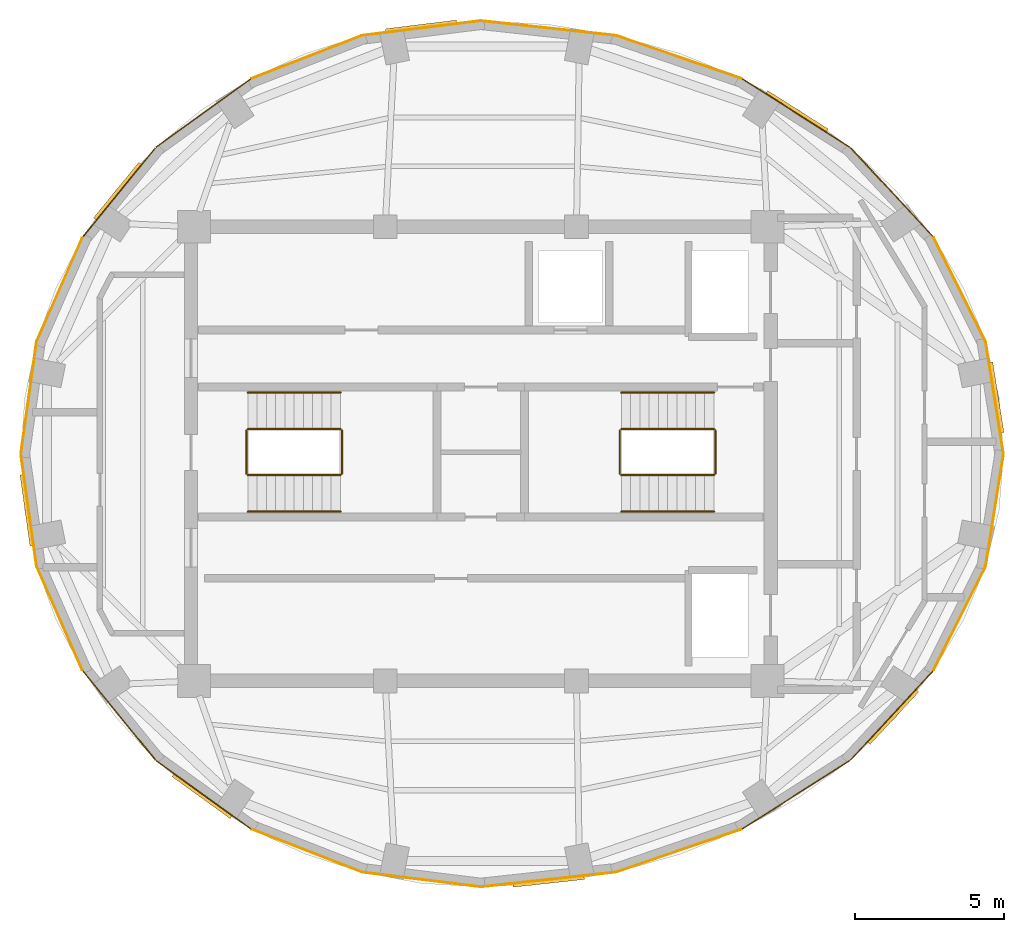
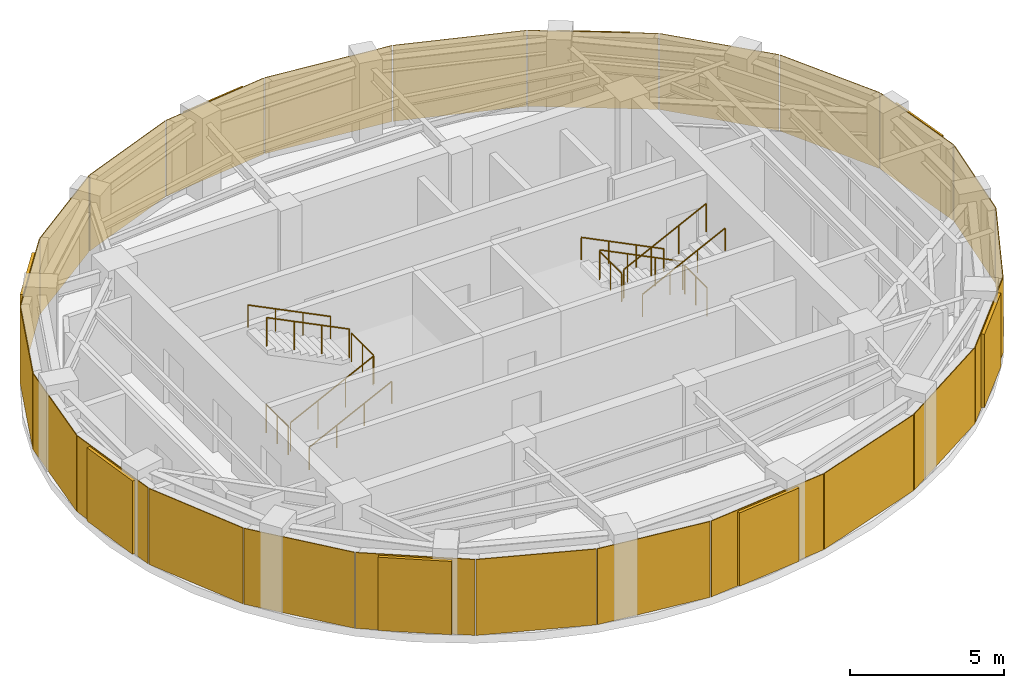
# One storey, part 5 of 5: 24 coverings, 12 railings, 8 shading devices.
"""IFC4 building model written with IfcOpenShell, lengths in metres."""

from ifc_helpers import new_model, si_unit, direction, frame, origin, origin_2d, place, context, subcontext, project, spatial, rectangle, circle, extrude, material, layer, layer_set, type_object, element, save


model = new_model("IFC4")

# Units and contexts
model_context = context("Model", 3, precision=1e-05, world=origin(), true_north=direction((0.0, 1.0)))
body_context = subcontext(model_context, "Body", "Model", "MODEL_VIEW")
ifc_project = project(units=[si_unit("LENGTHUNIT", "METRE"), si_unit("AREAUNIT", "SQUARE_METRE"), si_unit("VOLUMEUNIT", "CUBIC_METRE"), si_unit("PLANEANGLEUNIT", "RADIAN"), si_unit("MASSUNIT", "GRAM", prefix="KILO")], contexts=[model_context])

# Site, building, storey
site_placement = place(None, origin())
site = spatial("IfcSite", under=ifc_project, at=site_placement, CompositionType="ELEMENT")
building_placement = place(site_placement, origin())
building = spatial("IfcBuilding", under=site, at=building_placement, Name="Lazwardi Medical Tower", CompositionType="ELEMENT")
storey_placement = place(building_placement, frame((0.0, 0.0, 312.612060546875)))
storey = spatial("IfcBuildingStorey", under=building, at=storey_placement, Name="L82", CompositionType="ELEMENT", Elevation=312.612060546875)

# Coverings
ifc_material_1 = material(Name="Anodised bronze aluminium cassette cladding", Category="aluminium")
ifc_layer = layer(ifc_material_1, 0.030029296875)
ifc_layer_set = layer_set([ifc_layer], Name="Anodised bronze aluminium cassette cladding")
covering_type = type_object("IfcCoveringType", Name="COV-CLD-BRZ", PredefinedType="CLADDING", material=ifc_layer_set)
covering_1_placement = place(storey_placement, frame((38.260498046875, 13.752197265625, 0.0), z_axis=(0.0, 0.0, 1.0), x_axis=(0.994125867428, 0.108230123855, 0.0)))
element("IfcCovering", 1, at=covering_1_placement, inside=storey, type_object=covering_type, Name="L82 Bronzed crown drum cassette cladding", PredefinedType="CLADDING", context=body_context, shape_type="SweptSolid", body=[
    extrude(rectangle(XDim=4.514404296875, YDim=0.030029296875, at=origin_2d()), origin(), (0.0, 0.0, 1.0), 3.008056640625),
])
covering_2_placement = place(storey_placement, frame((42.62841796875, 14.72021484375, 0.0), z_axis=(0.0, 0.0, 1.0), x_axis=(0.946033335117, 0.324069327223, 0.0)))
element("IfcCovering", 2, at=covering_2_placement, inside=storey, type_object=covering_type, Name="L82 Bronzed crown drum cassette cladding", PredefinedType="CLADDING", context=body_context, shape_type="SweptSolid", body=[
    extrude(rectangle(XDim=4.420654296875, YDim=0.030029296875, at=origin_2d()), origin(), (0.0, 0.0, 1.0), 3.008056640625),
])
covering_3_placement = place(storey_placement, frame((46.547607421875, 16.591552734375, 0.0), z_axis=(0.0, 0.0, 1.0), x_axis=(0.84434288828, 0.535803216686, 0.0)))
element("IfcCovering", 3, at=covering_3_placement, inside=storey, type_object=covering_type, Name="L82 Bronzed crown drum cassette cladding", PredefinedType="CLADDING", context=body_context, shape_type="SweptSolid", body=[
    extrude(rectangle(XDim=4.253173828125, YDim=0.030029296875, at=origin_2d()), origin(), (0.0, 0.0, 1.0), 3.008056640625),
])
covering_4_placement = place(storey_placement, frame((49.751220703125, 19.240966796875, 0.0), z_axis=(0.0, 0.0, 1.0), x_axis=(0.680177307104, 0.733047632082, 0.0)))
element("IfcCovering", 4, at=covering_4_placement, inside=storey, type_object=covering_type, Name="L82 Bronzed crown drum cassette cladding", PredefinedType="CLADDING", context=body_context, shape_type="SweptSolid", body=[
    extrude(rectangle(XDim=4.051513671875, YDim=0.030029296875, at=origin_2d()), origin(), (0.0, 0.0, 1.0), 3.008056640625),
])
covering_5_placement = place(storey_placement, frame((52.019775390625, 22.49072265625, 0.0), z_axis=(0.0, 0.0, 1.0), x_axis=(0.447844918421, 0.894111250933, 0.0)))
element("IfcCovering", 5, at=covering_5_placement, inside=storey, type_object=covering_type, Name="L82 Bronzed crown drum cassette cladding", PredefinedType="CLADDING", context=body_context, shape_type="SweptSolid", body=[
    extrude(rectangle(XDim=3.8681640625, YDim=0.030029296875, at=origin_2d()), origin(), (0.0, 0.0, 1.0), 3.008056640625),
])
for number, where, z_axis, x_axis, name in (
    (6, (53.19580078125, 26.1201171875, 0.0), (0.0, 0.0, 1.0), (0.157201527183, 0.987566544518, 0.0), "L82 Bronzed crown drum cassette cladding"),
    (7, (53.19580078125, 29.8798828125, 0.0), (0.0, 0.0, 1.0), (-0.157201527183, 0.987566544518, 0.0), "L82 Bronzed crown drum cassette cladding"),
):
    element("IfcCovering", number, at=place(storey_placement, frame(where, z_axis=z_axis, x_axis=x_axis)), inside=storey, type_object=covering_type, Name=name, PredefinedType="CLADDING", context=body_context, shape_type="SweptSolid", body=[
        extrude(rectangle(XDim=3.75830078125, YDim=0.030029296875, at=origin_2d()), origin(), (0.0, 0.0, 1.0), 3.008056640625),
    ])
covering_6_placement = place(storey_placement, frame((52.019775390625, 33.50927734375, 0.0), z_axis=(0.0, 0.0, 1.0), x_axis=(-0.447844918421, 0.894111250933, 0.0)))
element("IfcCovering", 8, at=covering_6_placement, inside=storey, type_object=covering_type, Name="L82 Bronzed crown drum cassette cladding", PredefinedType="CLADDING", context=body_context, shape_type="SweptSolid", body=[
    extrude(rectangle(XDim=3.8681640625, YDim=0.030029296875, at=origin_2d()), origin(), (0.0, 0.0, 1.0), 3.008056640625),
])
covering_7_placement = place(storey_placement, frame((49.751220703125, 36.759033203125, 0.0), z_axis=(0.0, 0.0, 1.0), x_axis=(-0.680177307104, 0.733047632082, 0.0)))
element("IfcCovering", 9, at=covering_7_placement, inside=storey, type_object=covering_type, Name="L82 Bronzed crown drum cassette cladding", PredefinedType="CLADDING", context=body_context, shape_type="SweptSolid", body=[
    extrude(rectangle(XDim=4.051513671875, YDim=0.030029296875, at=origin_2d()), origin(), (0.0, 0.0, 1.0), 3.008056640625),
])
covering_8_placement = place(storey_placement, frame((46.547607421875, 39.408447265625, 0.0), z_axis=(0.0, 0.0, 1.0), x_axis=(-0.84434288828, 0.535803216686, 0.0)))
element("IfcCovering", 10, at=covering_8_placement, inside=storey, type_object=covering_type, Name="L82 Bronzed crown drum cassette cladding", PredefinedType="CLADDING", context=body_context, shape_type="SweptSolid", body=[
    extrude(rectangle(XDim=4.253173828125, YDim=0.030029296875, at=origin_2d()), origin(), (0.0, 0.0, 1.0), 3.008056640625),
])
covering_9_placement = place(storey_placement, frame((42.62841796875, 41.27978515625, 0.0), z_axis=(0.0, 0.0, 1.0), x_axis=(-0.946033335117, 0.324069327223, 0.0)))
element("IfcCovering", 11, at=covering_9_placement, inside=storey, type_object=covering_type, Name="L82 Bronzed crown drum cassette cladding", PredefinedType="CLADDING", context=body_context, shape_type="SweptSolid", body=[
    extrude(rectangle(XDim=4.420654296875, YDim=0.030029296875, at=origin_2d()), origin(), (0.0, 0.0, 1.0), 3.008056640625),
])
covering_10_placement = place(storey_placement, frame((38.260498046875, 42.247802734375, 0.0), z_axis=(0.0, 0.0, 1.0), x_axis=(-0.994125867428, 0.108230123855, 0.0)))
element("IfcCovering", 12, at=covering_10_placement, inside=storey, type_object=covering_type, Name="L82 Bronzed crown drum cassette cladding", PredefinedType="CLADDING", context=body_context, shape_type="SweptSolid", body=[
    extrude(rectangle(XDim=4.514404296875, YDim=0.030029296875, at=origin_2d()), origin(), (0.0, 0.0, 1.0), 3.008056640625),
])
covering_11_placement = place(storey_placement, frame((34.009033203125, 42.24755859375, 0.0), z_axis=(0.0, 0.0, 1.0), x_axis=(-0.992414982641, -0.122932917602, 0.0)))
element("IfcCovering", 13, at=covering_11_placement, inside=storey, type_object=covering_type, Name="L82 Bronzed crown drum cassette cladding", PredefinedType="CLADDING", context=body_context, shape_type="SweptSolid", body=[
    extrude(rectangle(XDim=3.974609375, YDim=0.030029296875, at=origin_2d()), origin(), (0.0, 0.0, 1.0), 3.008056640625),
])
covering_12_placement = place(storey_placement, frame((30.162109375, 41.277587890625, 0.0), z_axis=(0.0, 0.0, 1.0), x_axis=(-0.931730529697, -0.363150409653, 0.0)))
element("IfcCovering", 14, at=covering_12_placement, inside=storey, type_object=covering_type, Name="L82 Bronzed crown drum cassette cladding", PredefinedType="CLADDING", context=body_context, shape_type="SweptSolid", body=[
    extrude(rectangle(XDim=3.94482421875, YDim=0.030029296875, at=origin_2d()), origin(), (0.0, 0.0, 1.0), 3.008056640625),
])
covering_13_placement = place(storey_placement, frame((26.71240234375, 39.4033203125, 0.0), z_axis=(0.0, 0.0, 1.0), x_axis=(-0.810758446386, -0.585380851766, 0.0)))
element("IfcCovering", 15, at=covering_13_placement, inside=storey, type_object=covering_type, Name="L82 Bronzed crown drum cassette cladding", PredefinedType="CLADDING", context=body_context, shape_type="SweptSolid", body=[
    extrude(rectangle(XDim=3.89306640625, YDim=0.030029296875, at=origin_2d()), origin(), (0.0, 0.0, 1.0), 3.008056640625),
])
covering_14_placement = place(storey_placement, frame((23.894287109375, 36.751708984375, 0.0), z_axis=(0.0, 0.0, 1.0), x_axis=(-0.63198331542, -0.774981992714, 0.0)))
element("IfcCovering", 16, at=covering_14_placement, inside=storey, type_object=covering_type, Name="L82 Bronzed crown drum cassette cladding", PredefinedType="CLADDING", context=body_context, shape_type="SweptSolid", body=[
    extrude(rectangle(XDim=3.832275390625, YDim=0.030029296875, at=origin_2d()), origin(), (0.0, 0.0, 1.0), 3.008056640625),
])
covering_15_placement = place(storey_placement, frame((21.900390625, 33.50244140625, 0.0), z_axis=(0.0, 0.0, 1.0), x_axis=(-0.402906435714, -0.915241172621, 0.0)))
element("IfcCovering", 17, at=covering_15_placement, inside=storey, type_object=covering_type, Name="L82 Bronzed crown drum cassette cladding", PredefinedType="CLADDING", context=body_context, shape_type="SweptSolid", body=[
    extrude(rectangle(XDim=3.77880859375, YDim=0.030029296875, at=origin_2d()), origin(), (0.0, 0.0, 1.0), 3.008056640625),
])
for number, where, z_axis, x_axis, name in (
    (18, (20.8681640625, 29.876953125, 0.0), (0.0, 0.0, 1.0), (-0.138566426199, -0.990353141829, 0.0), "L82 Bronzed crown drum cassette cladding"),
    (19, (20.8681640625, 26.123046875, 0.0), (0.0, 0.0, 1.0), (0.138566426199, -0.990353141829, 0.0), "L82 Bronzed crown drum cassette cladding"),
):
    element("IfcCovering", number, at=place(storey_placement, frame(where, z_axis=z_axis, x_axis=x_axis)), inside=storey, type_object=covering_type, Name=name, PredefinedType="CLADDING", context=body_context, shape_type="SweptSolid", body=[
        extrude(rectangle(XDim=3.747802734375, YDim=0.030029296875, at=origin_2d()), origin(), (0.0, 0.0, 1.0), 3.008056640625),
    ])
covering_16_placement = place(storey_placement, frame((21.900390625, 22.49755859375, 0.0), z_axis=(0.0, 0.0, 1.0), x_axis=(0.402906435714, -0.915241172621, 0.0)))
element("IfcCovering", 20, at=covering_16_placement, inside=storey, type_object=covering_type, Name="L82 Bronzed crown drum cassette cladding", PredefinedType="CLADDING", context=body_context, shape_type="SweptSolid", body=[
    extrude(rectangle(XDim=3.77880859375, YDim=0.030029296875, at=origin_2d()), origin(), (0.0, 0.0, 1.0), 3.008056640625),
])
covering_17_placement = place(storey_placement, frame((23.894287109375, 19.248291015625, 0.0), z_axis=(0.0, 0.0, 1.0), x_axis=(0.63198331542, -0.774981992714, 0.0)))
element("IfcCovering", 21, at=covering_17_placement, inside=storey, type_object=covering_type, Name="L82 Bronzed crown drum cassette cladding", PredefinedType="CLADDING", context=body_context, shape_type="SweptSolid", body=[
    extrude(rectangle(XDim=3.832275390625, YDim=0.030029296875, at=origin_2d()), origin(), (0.0, 0.0, 1.0), 3.008056640625),
])
covering_18_placement = place(storey_placement, frame((26.71240234375, 16.5966796875, 0.0), z_axis=(0.0, 0.0, 1.0), x_axis=(0.810758446386, -0.585380851766, 0.0)))
element("IfcCovering", 22, at=covering_18_placement, inside=storey, type_object=covering_type, Name="L82 Bronzed crown drum cassette cladding", PredefinedType="CLADDING", context=body_context, shape_type="SweptSolid", body=[
    extrude(rectangle(XDim=3.89306640625, YDim=0.030029296875, at=origin_2d()), origin(), (0.0, 0.0, 1.0), 3.008056640625),
])
covering_19_placement = place(storey_placement, frame((30.162109375, 14.722412109375, 0.0), z_axis=(0.0, 0.0, 1.0), x_axis=(0.931730529697, -0.363150409653, 0.0)))
element("IfcCovering", 23, at=covering_19_placement, inside=storey, type_object=covering_type, Name="L82 Bronzed crown drum cassette cladding", PredefinedType="CLADDING", context=body_context, shape_type="SweptSolid", body=[
    extrude(rectangle(XDim=3.94482421875, YDim=0.030029296875, at=origin_2d()), origin(), (0.0, 0.0, 1.0), 3.008056640625),
])
covering_20_placement = place(storey_placement, frame((34.009033203125, 13.75244140625, 0.0), z_axis=(0.0, 0.0, 1.0), x_axis=(0.992414982641, -0.122932917602, 0.0)))
element("IfcCovering", 24, at=covering_20_placement, inside=storey, type_object=covering_type, Name="L82 Bronzed crown drum cassette cladding", PredefinedType="CLADDING", context=body_context, shape_type="SweptSolid", body=[
    extrude(rectangle(XDim=3.974609375, YDim=0.030029296875, at=origin_2d()), origin(), (0.0, 0.0, 1.0), 3.008056640625),
])

# Railings
ifc_material_2 = material(Name="Stainless steel Grade 316", Category="steel")
railing_type_1 = type_object("IfcRailingType", Name="RLG-GRD-1150", PredefinedType="GUARDRAIL", material=ifc_material_2)
railing_1_placement = place(storey_placement, frame((28.199951171875, 27.2900390625, 0.154052734375)))
element("IfcRailing", 25, at=railing_1_placement, inside=storey, type_object=railing_type_1, Name="L82 ST1 stair guard 1", PredefinedType="GUARDRAIL", context=body_context, shape_type="SweptSolid", body=[
    extrude(circle(Radius=0.02392578125, at=origin_2d()), frame((0.0, 0.0, 1.1259765625), z_axis=(0.895608980619, 0.0, 0.44484216733), x_axis=(0.0, 1.0, 0.0)), (0.0, 0.0, 1.0), 3.46142578125),
    extrude(circle(Radius=0.02099609375, at=origin_2d()), origin(), (0.0, 0.0, 1.0), 1.099853515625),
    extrude(circle(Radius=0.02099609375, at=origin_2d()), frame((1.033447265625, 0.0, 0.51318359375)), (0.0, 0.0, 1.0), 1.099853515625),
    extrude(circle(Radius=0.02099609375, at=origin_2d()), frame((2.066650390625, 0.0, 1.026611328125)), (0.0, 0.0, 1.0), 1.099853515625),
    extrude(circle(Radius=0.02099609375, at=origin_2d()), frame((3.10009765625, 0.0, 1.539794921875)), (0.0, 0.0, 1.0), 1.099853515625),
])
railing_2_placement = place(storey_placement, frame((31.35009765625, 27.340087890625, 1.69384765625)))
element("IfcRailing", 26, at=railing_2_placement, inside=storey, type_object=railing_type_1, Name="L82 ST1 stair guard 2", PredefinedType="GUARDRAIL", context=body_context, shape_type="SweptSolid", body=[
    extrude(circle(Radius=0.02392578125, at=origin_2d()), frame((0.0, 0.0, 1.1259765625), z_axis=(0.0, 1.0, 0.0), x_axis=(-1.0, 0.0, 0.0)), (0.0, 0.0, 1.0), 1.43994140625),
    extrude(circle(Radius=0.02099609375, at=origin_2d()), origin(), (0.0, 0.0, 1.0), 1.099853515625),
    extrude(circle(Radius=0.02099609375, at=origin_2d()), frame((0.0, 0.719970703125, 0.0)), (0.0, 0.0, 1.0), 1.099853515625),
    extrude(circle(Radius=0.02099609375, at=origin_2d()), frame((0.0, 1.43994140625, 0.0)), (0.0, 0.0, 1.0), 1.099853515625),
])
railing_3_placement = place(storey_placement, frame((31.300048828125, 28.830078125, 1.847900390625)))
element("IfcRailing", 27, at=railing_3_placement, inside=storey, type_object=railing_type_1, Name="L82 ST1 stair guard 3", PredefinedType="GUARDRAIL", context=body_context, shape_type="SweptSolid", body=[
    extrude(circle(Radius=0.02392578125, at=origin_2d()), frame((0.0, 0.0, 1.1259765625), z_axis=(-0.895580879637, 0.0, 0.444898739073), x_axis=(0.0, -1.0, 0.0)), (0.0, 0.0, 1.0), 3.461669921875),
    extrude(circle(Radius=0.02099609375, at=origin_2d()), origin(), (0.0, 0.0, 1.0), 1.099853515625),
    extrude(circle(Radius=0.02099609375, at=origin_2d()), frame((-1.033447265625, 0.0, 0.513427734375)), (0.0, 0.0, 1.0), 1.099853515625),
    extrude(circle(Radius=0.02099609375, at=origin_2d()), frame((-2.066650390625, 0.0, 1.026611328125)), (0.0, 0.0, 1.0), 1.099853515625),
    extrude(circle(Radius=0.02099609375, at=origin_2d()), frame((-3.10009765625, 0.0, 1.5400390625)), (0.0, 0.0, 1.0), 1.099853515625),
])
railing_4_placement = place(storey_placement, frame((28.14990234375, 27.340087890625, 0.0)))
element("IfcRailing", 28, at=railing_4_placement, inside=storey, type_object=railing_type_1, Name="L82 ST1 stair guard 4", PredefinedType="GUARDRAIL", context=body_context, shape_type="SweptSolid", body=[
    extrude(circle(Radius=0.02392578125, at=origin_2d()), frame((0.0, 0.0, 1.1259765625), z_axis=(0.0, 1.0, 0.0), x_axis=(-1.0, 0.0, 0.0)), (0.0, 0.0, 1.0), 1.43994140625),
    extrude(circle(Radius=0.02099609375, at=origin_2d()), origin(), (0.0, 0.0, 1.0), 1.099853515625),
    extrude(circle(Radius=0.02099609375, at=origin_2d()), frame((0.0, 0.719970703125, 0.0)), (0.0, 0.0, 1.0), 1.099853515625),
    extrude(circle(Radius=0.02099609375, at=origin_2d()), frame((0.0, 1.43994140625, 0.0)), (0.0, 0.0, 1.0), 1.099853515625),
])
railing_5_placement = place(storey_placement, frame((43.800048828125, 28.830078125, 0.154052734375)))
element("IfcRailing", 29, at=railing_5_placement, inside=storey, type_object=railing_type_1, Name="L82 ST2 stair guard 1", PredefinedType="GUARDRAIL", context=body_context, shape_type="SweptSolid", body=[
    extrude(circle(Radius=0.02392578125, at=origin_2d()), frame((0.0, 0.0, 1.1259765625), z_axis=(-0.895608980619, 0.0, 0.44484216733), x_axis=(0.0, -1.0, 0.0)), (0.0, 0.0, 1.0), 3.46142578125),
    extrude(circle(Radius=0.02099609375, at=origin_2d()), origin(), (0.0, 0.0, 1.0), 1.099853515625),
    extrude(circle(Radius=0.02099609375, at=origin_2d()), frame((-1.033447265625, 0.0, 0.51318359375)), (0.0, 0.0, 1.0), 1.099853515625),
    extrude(circle(Radius=0.02099609375, at=origin_2d()), frame((-2.066650390625, 0.0, 1.026611328125)), (0.0, 0.0, 1.0), 1.099853515625),
    extrude(circle(Radius=0.02099609375, at=origin_2d()), frame((-3.10009765625, 0.0, 1.539794921875)), (0.0, 0.0, 1.0), 1.099853515625),
])
railing_6_placement = place(storey_placement, frame((40.64990234375, 28.780029296875, 1.69384765625)))
element("IfcRailing", 30, at=railing_6_placement, inside=storey, type_object=railing_type_1, Name="L82 ST2 stair guard 2", PredefinedType="GUARDRAIL", context=body_context, shape_type="SweptSolid", body=[
    extrude(circle(Radius=0.02392578125, at=origin_2d()), frame((0.0, 0.0, 1.1259765625), z_axis=(0.0, -1.0, 0.0), x_axis=(1.0, 0.0, 0.0)), (0.0, 0.0, 1.0), 1.43994140625),
    extrude(circle(Radius=0.02099609375, at=origin_2d()), origin(), (0.0, 0.0, 1.0), 1.099853515625),
    extrude(circle(Radius=0.02099609375, at=origin_2d()), frame((0.0, -0.719970703125, 0.0)), (0.0, 0.0, 1.0), 1.099853515625),
    extrude(circle(Radius=0.02099609375, at=origin_2d()), frame((0.0, -1.43994140625, 0.0)), (0.0, 0.0, 1.0), 1.099853515625),
])
railing_7_placement = place(storey_placement, frame((40.699951171875, 27.2900390625, 1.847900390625)))
element("IfcRailing", 31, at=railing_7_placement, inside=storey, type_object=railing_type_1, Name="L82 ST2 stair guard 3", PredefinedType="GUARDRAIL", context=body_context, shape_type="SweptSolid", body=[
    extrude(circle(Radius=0.02392578125, at=origin_2d()), frame((0.0, 0.0, 1.1259765625), z_axis=(0.895580879637, 0.0, 0.444898739073), x_axis=(0.0, 1.0, 0.0)), (0.0, 0.0, 1.0), 3.461669921875),
    extrude(circle(Radius=0.02099609375, at=origin_2d()), origin(), (0.0, 0.0, 1.0), 1.099853515625),
    extrude(circle(Radius=0.02099609375, at=origin_2d()), frame((1.033447265625, 0.0, 0.513427734375)), (0.0, 0.0, 1.0), 1.099853515625),
    extrude(circle(Radius=0.02099609375, at=origin_2d()), frame((2.066650390625, 0.0, 1.026611328125)), (0.0, 0.0, 1.0), 1.099853515625),
    extrude(circle(Radius=0.02099609375, at=origin_2d()), frame((3.10009765625, 0.0, 1.5400390625)), (0.0, 0.0, 1.0), 1.099853515625),
])
railing_8_placement = place(storey_placement, frame((43.85009765625, 28.780029296875, 0.0)))
element("IfcRailing", 32, at=railing_8_placement, inside=storey, type_object=railing_type_1, Name="L82 ST2 stair guard 4", PredefinedType="GUARDRAIL", context=body_context, shape_type="SweptSolid", body=[
    extrude(circle(Radius=0.02392578125, at=origin_2d()), frame((0.0, 0.0, 1.1259765625), z_axis=(0.0, -1.0, 0.0), x_axis=(1.0, 0.0, 0.0)), (0.0, 0.0, 1.0), 1.43994140625),
    extrude(circle(Radius=0.02099609375, at=origin_2d()), origin(), (0.0, 0.0, 1.0), 1.099853515625),
    extrude(circle(Radius=0.02099609375, at=origin_2d()), frame((0.0, -0.719970703125, 0.0)), (0.0, 0.0, 1.0), 1.099853515625),
    extrude(circle(Radius=0.02099609375, at=origin_2d()), frame((0.0, -1.43994140625, 0.0)), (0.0, 0.0, 1.0), 1.099853515625),
])
railing_type_2 = type_object("IfcRailingType", Name="RLG-HND-920", PredefinedType="HANDRAIL", material=ifc_material_2)
railing_9_placement = place(storey_placement, frame((28.199951171875, 26.070068359375, 0.154052734375)))
element("IfcRailing", 33, at=railing_9_placement, inside=storey, type_object=railing_type_2, Name="L82 ST1 stair handrail 1", PredefinedType="HANDRAIL", context=body_context, shape_type="SweptSolid", body=[
    extrude(circle(Radius=0.02392578125, at=origin_2d()), frame((0.0, 0.0, 0.8857421875), z_axis=(0.895608980619, 0.0, 0.44484216733), x_axis=(0.0, 1.0, 0.0)), (0.0, 0.0, 1.0), 3.46142578125),
    extrude(circle(Radius=0.02099609375, at=origin_2d()), origin(), (0.0, 0.0, 1.0), 0.85986328125),
    extrude(circle(Radius=0.02099609375, at=origin_2d()), frame((1.033447265625, 0.0, 0.51318359375)), (0.0, 0.0, 1.0), 0.85986328125),
    extrude(circle(Radius=0.02099609375, at=origin_2d()), frame((2.066650390625, 0.0, 1.026611328125)), (0.0, 0.0, 1.0), 0.85986328125),
    extrude(circle(Radius=0.02099609375, at=origin_2d()), frame((3.10009765625, 0.0, 1.539794921875)), (0.0, 0.0, 1.0), 0.85986328125),
])
railing_10_placement = place(storey_placement, frame((31.300048828125, 30.050048828125, 1.847900390625)))
element("IfcRailing", 34, at=railing_10_placement, inside=storey, type_object=railing_type_2, Name="L82 ST1 stair handrail 2", PredefinedType="HANDRAIL", context=body_context, shape_type="SweptSolid", body=[
    extrude(circle(Radius=0.02392578125, at=origin_2d()), frame((0.0, 0.0, 0.8857421875), z_axis=(-0.895580879637, 0.0, 0.444898739073), x_axis=(0.0, -1.0, 0.0)), (0.0, 0.0, 1.0), 3.461669921875),
    extrude(circle(Radius=0.02099609375, at=origin_2d()), origin(), (0.0, 0.0, 1.0), 0.85986328125),
    extrude(circle(Radius=0.02099609375, at=origin_2d()), frame((-1.033447265625, 0.0, 0.513427734375)), (0.0, 0.0, 1.0), 0.85986328125),
    extrude(circle(Radius=0.02099609375, at=origin_2d()), frame((-2.066650390625, 0.0, 1.026611328125)), (0.0, 0.0, 1.0), 0.85986328125),
    extrude(circle(Radius=0.02099609375, at=origin_2d()), frame((-3.10009765625, 0.0, 1.5400390625)), (0.0, 0.0, 1.0), 0.85986328125),
])
railing_11_placement = place(storey_placement, frame((43.800048828125, 30.050048828125, 0.154052734375)))
element("IfcRailing", 35, at=railing_11_placement, inside=storey, type_object=railing_type_2, Name="L82 ST2 stair handrail 1", PredefinedType="HANDRAIL", context=body_context, shape_type="SweptSolid", body=[
    extrude(circle(Radius=0.02392578125, at=origin_2d()), frame((0.0, 0.0, 0.8857421875), z_axis=(-0.895608980619, 0.0, 0.44484216733), x_axis=(0.0, -1.0, 0.0)), (0.0, 0.0, 1.0), 3.46142578125),
    extrude(circle(Radius=0.02099609375, at=origin_2d()), origin(), (0.0, 0.0, 1.0), 0.85986328125),
    extrude(circle(Radius=0.02099609375, at=origin_2d()), frame((-1.033447265625, 0.0, 0.51318359375)), (0.0, 0.0, 1.0), 0.85986328125),
    extrude(circle(Radius=0.02099609375, at=origin_2d()), frame((-2.066650390625, 0.0, 1.026611328125)), (0.0, 0.0, 1.0), 0.85986328125),
    extrude(circle(Radius=0.02099609375, at=origin_2d()), frame((-3.10009765625, 0.0, 1.539794921875)), (0.0, 0.0, 1.0), 0.85986328125),
])
railing_12_placement = place(storey_placement, frame((40.699951171875, 26.070068359375, 1.847900390625)))
element("IfcRailing", 36, at=railing_12_placement, inside=storey, type_object=railing_type_2, Name="L82 ST2 stair handrail 2", PredefinedType="HANDRAIL", context=body_context, shape_type="SweptSolid", body=[
    extrude(circle(Radius=0.02392578125, at=origin_2d()), frame((0.0, 0.0, 0.8857421875), z_axis=(0.895580879637, 0.0, 0.444898739073), x_axis=(0.0, 1.0, 0.0)), (0.0, 0.0, 1.0), 3.461669921875),
    extrude(circle(Radius=0.02099609375, at=origin_2d()), origin(), (0.0, 0.0, 1.0), 0.85986328125),
    extrude(circle(Radius=0.02099609375, at=origin_2d()), frame((1.033447265625, 0.0, 0.513427734375)), (0.0, 0.0, 1.0), 0.85986328125),
    extrude(circle(Radius=0.02099609375, at=origin_2d()), frame((2.066650390625, 0.0, 1.026611328125)), (0.0, 0.0, 1.0), 0.85986328125),
    extrude(circle(Radius=0.02099609375, at=origin_2d()), frame((3.10009765625, 0.0, 1.5400390625)), (0.0, 0.0, 1.0), 0.85986328125),
])

# Shading devices
ifc_material_3 = material(Name="Anodised bronze aluminium storm louvre", Category="aluminium")
shading_device_type_1 = type_object("IfcShadingDeviceType", Name="SHD-LVR-01", PredefinedType="JALOUSIE", material=ifc_material_3)
for number, where, z_axis, x_axis, name in (
    (37, (38.2666015625, 13.695556640625, 0.0498046875), (0.0, 0.0, 1.0), (0.994125867428, 0.108230123855, 0.0), "L82 Crown Acoustic Storm Louvre 01"),
    (38, (53.251953125, 29.888916015625, 0.0498046875), (0.0, 0.0, 1.0), (-0.157201527183, 0.987566544518, 0.0), "L82 Crown Acoustic Storm Louvre 07"),
    (39, (34.001953125, 42.30419921875, 0.0498046875), (0.0, 0.0, 1.0), (-0.992414982641, -0.122932917602, 0.0), "L82 Crown Acoustic Storm Louvre 13"),
    (40, (20.811767578125, 26.115234375, 0.0498046875), (0.0, 0.0, 1.0), (0.138566426199, -0.990353141829, 0.0), "L82 Crown Acoustic Storm Louvre 19"),
):
    element("IfcShadingDevice", number, at=place(storey_placement, frame(where, z_axis=z_axis, x_axis=x_axis)), inside=storey, type_object=shading_device_type_1, Name=name, PredefinedType="JALOUSIE", context=body_context, shape_type="SweptSolid", body=[
        extrude(rectangle(XDim=2.39990234375, YDim=0.139892578125, at=origin_2d()), origin(), (0.0, 0.0, 1.0), 2.907958984375),
    ])
ifc_material_4 = material(Name="Perforated bronze girih solar screen", Category="aluminium")
shading_device_type_2 = type_object("IfcShadingDeviceType", Name="SHD-SCR-01", PredefinedType="USERDEFINED", material=ifc_material_4)
for number, where, z_axis, x_axis, name in (
    (41, (49.79296875, 19.2021484375, 0.0498046875), (0.0, 0.0, 1.0), (0.680177307104, 0.733047632082, 0.0), "L82 Crown Bronze Girih Screen 04"),
    (42, (46.578125, 39.456787109375, 0.0498046875), (0.0, 0.0, 1.0), (-0.84434288828, 0.535803216686, 0.0), "L82 Crown Bronze Girih Screen 10"),
    (43, (23.85009765625, 36.78759765625, 0.0498046875), (0.0, 0.0, 1.0), (-0.63198331542, -0.774981992714, 0.0), "L82 Crown Bronze Girih Screen 16"),
    (44, (26.678955078125, 16.55029296875, 0.0498046875), (0.0, 0.0, 1.0), (0.810758446386, -0.585380851766, 0.0), "L82 Crown Bronze Girih Screen 22"),
):
    element("IfcShadingDevice", number, at=place(storey_placement, frame(where, z_axis=z_axis, x_axis=x_axis)), inside=storey, type_object=shading_device_type_2, Name=name, ObjectType="SCREEN", PredefinedType="USERDEFINED", context=body_context, shape_type="SweptSolid", body=[
        extrude(rectangle(XDim=2.39990234375, YDim=0.139892578125, at=origin_2d()), origin(), (0.0, 0.0, 1.0), 2.907958984375),
    ])

save(model, "model.ifc")
